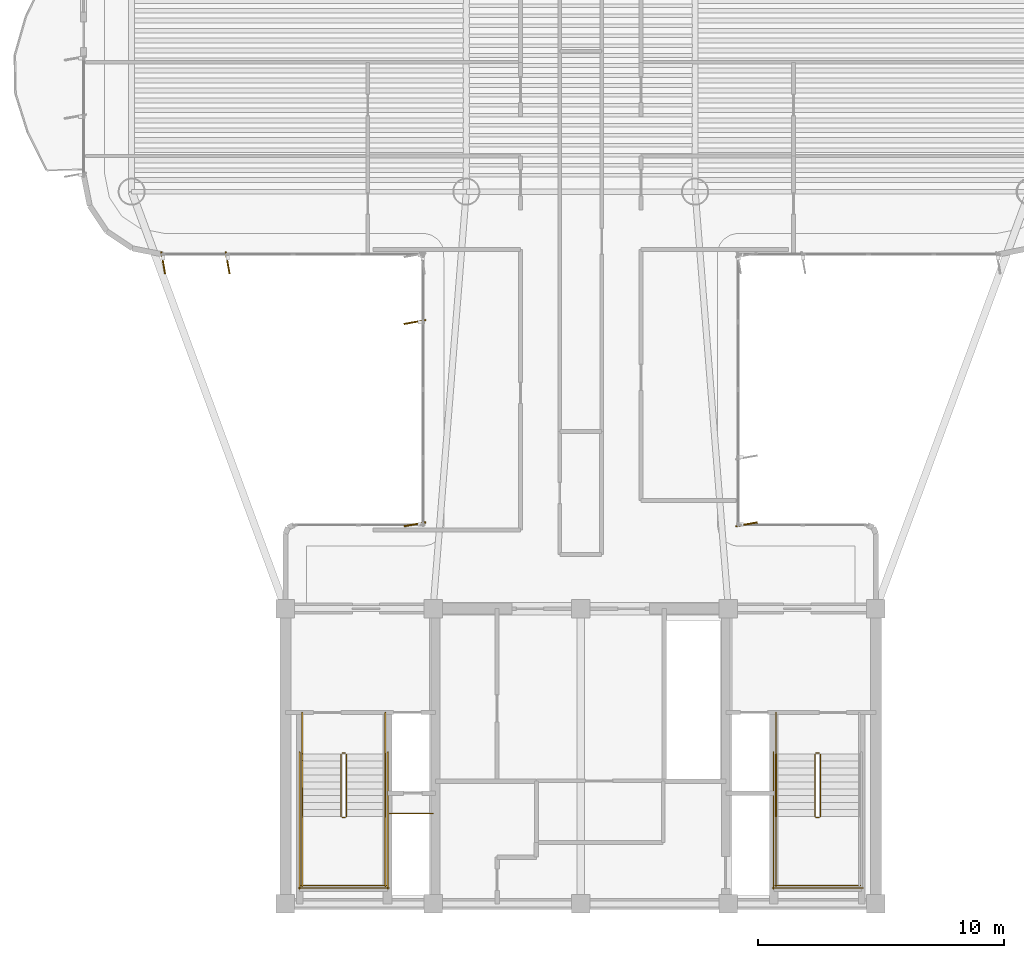
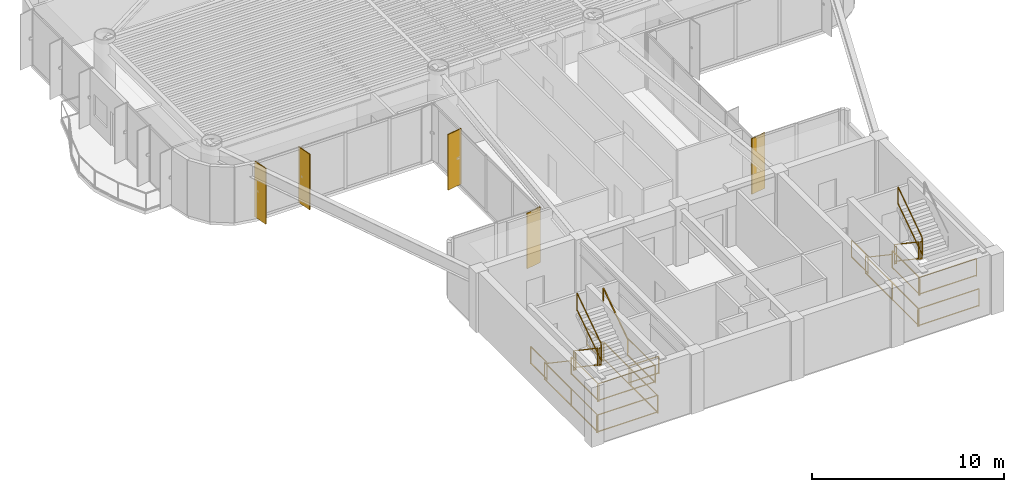
# One storey, part 13 of 14: 25 railings, 5 shading devices.
"""IFC4 building model written with IfcOpenShell, lengths in metres."""

from ifc_helpers import new_model, si_unit, direction, frame, origin, origin_2d, place, context, subcontext, project, spatial, rectangle, extrude, source, transform, mapped, material, layer, layer_set, material_profile, profile_set, type_object, element, save


model = new_model("IFC4")

# Units and contexts
model_context = context("Model", 3, precision=1e-05, world=origin(), true_north=direction((0.0, 1.0)))
body_context = subcontext(model_context, "Body", "Model", "MODEL_VIEW")
ifc_project = project(units=[si_unit("LENGTHUNIT", "METRE"), si_unit("AREAUNIT", "SQUARE_METRE"), si_unit("VOLUMEUNIT", "CUBIC_METRE"), si_unit("PLANEANGLEUNIT", "RADIAN"), si_unit("MASSUNIT", "GRAM", prefix="KILO")], contexts=[model_context])

# Site, building, storey
site_placement = place(None, origin())
site = spatial("IfcSite", under=ifc_project, at=site_placement, CompositionType="ELEMENT")
building_placement = place(site_placement, origin())
building = spatial("IfcBuilding", under=site, at=building_placement, Name="Brelvock Crest Care Tower", CompositionType="ELEMENT")
storey_placement = place(building_placement, frame((0.0, 0.0, 179.10009765625)))
storey = spatial("IfcBuildingStorey", under=building, at=storey_placement, Name="L45", CompositionType="ELEMENT", Elevation=179.10009765625)

# Railings
ifc_material_1 = material(Name="Steel Grade 350", Category="steel")
ifc_layer_1 = layer(ifc_material_1, 0.050048828125, Name="RL-STG1")
ifc_layer_set_1 = layer_set([ifc_layer_1], Name="Steel Grade 350")
railing_type_1 = type_object("IfcRailingType", Name="RL-STG1", PredefinedType="GUARDRAIL", material=ifc_layer_set_1)
railing_1_placement = place(storey_placement, frame((26.260009765625, 12.080078125, 0.18896484375)))
element("IfcRailing", 1, at=railing_1_placement, inside=storey, type_object=railing_type_1, Name="L45 ST-1 stair guard 1", PredefinedType="GUARDRAIL", context=body_context, shape_type="SweptSolid", body=[
    extrude(rectangle(XDim=0.048095703125, YDim=0.048095703125, at=origin_2d()), frame((0.0, -0.001708984375, 1.116943359375), z_axis=(0.0, -0.828861706735, 0.559453546873), x_axis=(1.0, 0.0, 0.0)), (0.0, 0.0, 1.0), 3.036376953125),
    extrude(rectangle(XDim=0.048095703125, YDim=0.048095703125, at=origin_2d()), frame((0.0, -0.001708984375, 0.05615234375), z_axis=(0.0, -0.828861706735, 0.559453546873), x_axis=(1.0, 0.0, 0.0)), (0.0, 0.0, 1.0), 3.036376953125),
    extrude(rectangle(XDim=0.0419921875, YDim=0.0419921875, at=origin_2d()), origin(), (0.0, 0.0, 1.0), 1.08984375),
    extrude(rectangle(XDim=0.0419921875, YDim=0.0419921875, at=origin_2d()), frame((0.0, -2.52001953125, 1.700927734375)), (0.0, 0.0, 1.0), 1.08984375),
])
railing_2_placement = place(storey_placement, frame((26.31005859375, 9.510009765625, 1.889892578125)))
element("IfcRailing", 2, at=railing_2_placement, inside=storey, type_object=railing_type_1, Name="L45 ST-1 stair guard 2", PredefinedType="GUARDRAIL", context=body_context, shape_type="SweptSolid", body=[
    extrude(rectangle(XDim=0.048095703125, YDim=0.048095703125, at=origin_2d()), frame((0.001953125, 0.0, 1.11572265625), z_axis=(1.0, 0.0, 0.0), x_axis=(0.0, 1.0, 0.0)), (0.0, 0.0, 1.0), 0.115966796875),
    extrude(rectangle(XDim=0.048095703125, YDim=0.048095703125, at=origin_2d()), frame((0.001953125, 0.0, 0.054931640625), z_axis=(1.0, 0.0, 0.0), x_axis=(0.0, 1.0, 0.0)), (0.0, 0.0, 1.0), 0.115966796875),
    extrude(rectangle(XDim=0.0419921875, YDim=0.0419921875, at=origin_2d()), origin(), (0.0, 0.0, 1.0), 1.08984375),
    extrude(rectangle(XDim=0.0419921875, YDim=0.0419921875, at=origin_2d()), frame((0.119873046875, 0.0, 0.0)), (0.0, 0.0, 1.0), 1.08984375),
])
for number, where, name in (
    (3, (24.679931640625, 9.56005859375, 1.889892578125), "L45 ST-1 stair guard 3"),
    (4, (28.06005859375, 9.56005859375, 1.889892578125), "L45 ST-1 stair guard 4"),
):
    element("IfcRailing", number, at=place(storey_placement, frame(where)), inside=storey, type_object=railing_type_1, Name=name, PredefinedType="GUARDRAIL", context=body_context, shape_type="SweptSolid", body=[
        extrude(rectangle(XDim=0.048095703125, YDim=0.048095703125, at=origin_2d()), frame((0.0, -0.001953125, 1.11572265625), z_axis=(0.0, -1.0, 0.0), x_axis=(1.0, 0.0, 0.0)), (0.0, 0.0, 1.0), 2.856201171875),
        extrude(rectangle(XDim=0.048095703125, YDim=0.048095703125, at=origin_2d()), frame((0.0, -0.001953125, 0.054931640625), z_axis=(0.0, -1.0, 0.0), x_axis=(1.0, 0.0, 0.0)), (0.0, 0.0, 1.0), 2.856201171875),
        extrude(rectangle(XDim=0.0419921875, YDim=0.0419921875, at=origin_2d()), origin(), (0.0, 0.0, 1.0), 1.08984375),
        extrude(rectangle(XDim=0.0419921875, YDim=0.0419921875, at=origin_2d()), frame((0.0, -2.860107421875, 0.0)), (0.0, 0.0, 1.0), 1.08984375),
    ])
railing_3_placement = place(storey_placement, frame((24.6298828125, 6.75, 1.889892578125)))
element("IfcRailing", 5, at=railing_3_placement, inside=storey, type_object=railing_type_1, Name="L45 ST-1 stair guard 5", PredefinedType="GUARDRAIL", context=body_context, shape_type="SweptSolid", body=[
    extrude(rectangle(XDim=0.048095703125, YDim=0.048095703125, at=origin_2d()), frame((0.001953125, 0.0, 1.11572265625), z_axis=(1.0, 0.0, 0.0), x_axis=(0.0, 1.0, 0.0)), (0.0, 0.0, 1.0), 3.476318359375),
    extrude(rectangle(XDim=0.048095703125, YDim=0.048095703125, at=origin_2d()), frame((0.001953125, 0.0, 0.054931640625), z_axis=(1.0, 0.0, 0.0), x_axis=(0.0, 1.0, 0.0)), (0.0, 0.0, 1.0), 3.476318359375),
    extrude(rectangle(XDim=0.0419921875, YDim=0.0419921875, at=origin_2d()), origin(), (0.0, 0.0, 1.0), 1.08984375),
    extrude(rectangle(XDim=0.0419921875, YDim=0.0419921875, at=origin_2d()), frame((3.480224609375, 0.0, 0.0)), (0.0, 0.0, 1.0), 1.08984375),
])
railing_4_placement = place(storey_placement, frame((26.47998046875, 9.56005859375, 2.078857421875)))
element("IfcRailing", 6, at=railing_4_placement, inside=storey, type_object=railing_type_1, Name="L45 ST-1 stair guard 6", PredefinedType="GUARDRAIL", context=body_context, shape_type="SweptSolid", body=[
    extrude(rectangle(XDim=0.048095703125, YDim=0.048095703125, at=origin_2d()), frame((0.0, 0.001708984375, 1.116943359375), z_axis=(0.0, 0.828861706735, 0.559453546873), x_axis=(-1.0, 0.0, 0.0)), (0.0, 0.0, 1.0), 3.036376953125),
    extrude(rectangle(XDim=0.048095703125, YDim=0.048095703125, at=origin_2d()), frame((0.0, 0.001708984375, 0.05615234375), z_axis=(0.0, 0.828861706735, 0.559453546873), x_axis=(-1.0, 0.0, 0.0)), (0.0, 0.0, 1.0), 3.036376953125),
    extrude(rectangle(XDim=0.0419921875, YDim=0.0419921875, at=origin_2d()), origin(), (0.0, 0.0, 1.0), 1.08984375),
    extrude(rectangle(XDim=0.0419921875, YDim=0.0419921875, at=origin_2d()), frame((0.0, 2.52001953125, 1.700927734375)), (0.0, 0.0, 1.0), 1.08984375),
])
railing_5_placement = place(storey_placement, frame((26.31005859375, 12.1298828125, 0.0)))
element("IfcRailing", 7, at=railing_5_placement, inside=storey, type_object=railing_type_1, Name="L45 ST-1 stair guard 7", PredefinedType="GUARDRAIL", context=body_context, shape_type="SweptSolid", body=[
    extrude(rectangle(XDim=0.048095703125, YDim=0.048095703125, at=origin_2d()), frame((0.001953125, 0.0, 1.11572265625), z_axis=(1.0, 0.0, 0.0), x_axis=(0.0, 1.0, 0.0)), (0.0, 0.0, 1.0), 0.115966796875),
    extrude(rectangle(XDim=0.048095703125, YDim=0.048095703125, at=origin_2d()), frame((0.001953125, 0.0, 0.054931640625), z_axis=(1.0, 0.0, 0.0), x_axis=(0.0, 1.0, 0.0)), (0.0, 0.0, 1.0), 0.115966796875),
    extrude(rectangle(XDim=0.0419921875, YDim=0.0419921875, at=origin_2d()), origin(), (0.0, 0.0, 1.0), 1.08984375),
    extrude(rectangle(XDim=0.0419921875, YDim=0.0419921875, at=origin_2d()), frame((0.119873046875, 0.0, 0.0)), (0.0, 0.0, 1.0), 1.08984375),
])
for number, where, name in (
    (8, (24.679931640625, 13.780029296875, 0.0), "L45 ST-1 stair guard 8"),
    (9, (28.06005859375, 13.780029296875, 0.0), "L45 ST-1 stair guard 9"),
):
    element("IfcRailing", number, at=place(storey_placement, frame(where)), inside=storey, type_object=railing_type_1, Name=name, PredefinedType="GUARDRAIL", context=body_context, shape_type="SweptSolid", body=[
        extrude(rectangle(XDim=0.048095703125, YDim=0.048095703125, at=origin_2d()), frame((0.0, -0.001953125, 1.11572265625), z_axis=(0.0, -1.0, 0.0), x_axis=(1.0, 0.0, 0.0)), (0.0, 0.0, 1.0), 1.696044921875),
        extrude(rectangle(XDim=0.048095703125, YDim=0.048095703125, at=origin_2d()), frame((0.0, -0.001953125, 0.054931640625), z_axis=(0.0, -1.0, 0.0), x_axis=(1.0, 0.0, 0.0)), (0.0, 0.0, 1.0), 1.696044921875),
        extrude(rectangle(XDim=0.0419921875, YDim=0.0419921875, at=origin_2d()), origin(), (0.0, 0.0, 1.0), 1.08984375),
        extrude(rectangle(XDim=0.0419921875, YDim=0.0419921875, at=origin_2d()), frame((0.0, -1.699951171875, 0.0)), (0.0, 0.0, 1.0), 1.08984375),
    ])
for number, where, name in (
    (10, (24.580078125, 12.179931640625, 0.0), "L45 ST-1 stair guard 10"),
    (11, (28.159912109375, 12.179931640625, 0.0), "L45 ST-1 stair guard 11"),
):
    element("IfcRailing", number, at=place(storey_placement, frame(where)), inside=storey, type_object=railing_type_1, Name=name, PredefinedType="GUARDRAIL", context=body_context, shape_type="SweptSolid", body=[
        extrude(rectangle(XDim=0.048095703125, YDim=0.048095703125, at=origin_2d()), frame((0.0, -0.001953125, 1.11572265625), z_axis=(0.0, -1.0, 0.0), x_axis=(1.0, 0.0, 0.0)), (0.0, 0.0, 1.0), 5.575927734375),
        extrude(rectangle(XDim=0.048095703125, YDim=0.048095703125, at=origin_2d()), frame((0.0, -0.001953125, 0.054931640625), z_axis=(0.0, -1.0, 0.0), x_axis=(1.0, 0.0, 0.0)), (0.0, 0.0, 1.0), 5.575927734375),
        extrude(rectangle(XDim=0.0419921875, YDim=0.0419921875, at=origin_2d()), origin(), (0.0, 0.0, 1.0), 1.08984375),
        extrude(rectangle(XDim=0.0419921875, YDim=0.0419921875, at=origin_2d()), frame((0.0, -2.7900390625, 0.0)), (0.0, 0.0, 1.0), 1.08984375),
        extrude(rectangle(XDim=0.0419921875, YDim=0.0419921875, at=origin_2d()), frame((0.0, -5.579833984375, 0.0)), (0.0, 0.0, 1.0), 1.08984375),
    ])
railing_6_placement = place(storey_placement, frame((24.530029296875, 6.64990234375, 0.0)))
element("IfcRailing", 12, at=railing_6_placement, inside=storey, type_object=railing_type_1, Name="L45 ST-1 stair guard 12", PredefinedType="GUARDRAIL", context=body_context, shape_type="SweptSolid", body=[
    extrude(rectangle(XDim=0.048095703125, YDim=0.048095703125, at=origin_2d()), frame((0.001953125, 0.0, 1.11572265625), z_axis=(1.0, 0.0, 0.0), x_axis=(0.0, 1.0, 0.0)), (0.0, 0.0, 1.0), 3.676025390625),
    extrude(rectangle(XDim=0.048095703125, YDim=0.048095703125, at=origin_2d()), frame((0.001953125, 0.0, 0.054931640625), z_axis=(1.0, 0.0, 0.0), x_axis=(0.0, 1.0, 0.0)), (0.0, 0.0, 1.0), 3.676025390625),
    extrude(rectangle(XDim=0.0419921875, YDim=0.0419921875, at=origin_2d()), origin(), (0.0, 0.0, 1.0), 1.08984375),
    extrude(rectangle(XDim=0.0419921875, YDim=0.0419921875, at=origin_2d()), frame((3.679931640625, 0.0, 0.0)), (0.0, 0.0, 1.0), 1.08984375),
])
railing_7_placement = place(storey_placement, frame((45.52001953125, 12.080078125, 0.18896484375)))
element("IfcRailing", 13, at=railing_7_placement, inside=storey, type_object=railing_type_1, Name="L45 ST-2 stair guard 1", PredefinedType="GUARDRAIL", context=body_context, shape_type="SweptSolid", body=[
    extrude(rectangle(XDim=0.048095703125, YDim=0.048095703125, at=origin_2d()), frame((0.0, -0.001708984375, 1.116943359375), z_axis=(0.0, -0.828861706735, 0.559453546873), x_axis=(1.0, 0.0, 0.0)), (0.0, 0.0, 1.0), 3.036376953125),
    extrude(rectangle(XDim=0.048095703125, YDim=0.048095703125, at=origin_2d()), frame((0.0, -0.001708984375, 0.05615234375), z_axis=(0.0, -0.828861706735, 0.559453546873), x_axis=(1.0, 0.0, 0.0)), (0.0, 0.0, 1.0), 3.036376953125),
    extrude(rectangle(XDim=0.0419921875, YDim=0.0419921875, at=origin_2d()), origin(), (0.0, 0.0, 1.0), 1.08984375),
    extrude(rectangle(XDim=0.0419921875, YDim=0.0419921875, at=origin_2d()), frame((0.0, -2.52001953125, 1.700927734375)), (0.0, 0.0, 1.0), 1.08984375),
])
railing_8_placement = place(storey_placement, frame((45.570068359375, 9.510009765625, 1.889892578125)))
element("IfcRailing", 14, at=railing_8_placement, inside=storey, type_object=railing_type_1, Name="L45 ST-2 stair guard 2", PredefinedType="GUARDRAIL", context=body_context, shape_type="SweptSolid", body=[
    extrude(rectangle(XDim=0.048095703125, YDim=0.048095703125, at=origin_2d()), frame((0.001953125, 0.0, 1.11572265625), z_axis=(1.0, 0.0, 0.0), x_axis=(0.0, 1.0, 0.0)), (0.0, 0.0, 1.0), 0.115966796875),
    extrude(rectangle(XDim=0.048095703125, YDim=0.048095703125, at=origin_2d()), frame((0.001953125, 0.0, 0.054931640625), z_axis=(1.0, 0.0, 0.0), x_axis=(0.0, 1.0, 0.0)), (0.0, 0.0, 1.0), 0.115966796875),
    extrude(rectangle(XDim=0.0419921875, YDim=0.0419921875, at=origin_2d()), origin(), (0.0, 0.0, 1.0), 1.08984375),
    extrude(rectangle(XDim=0.0419921875, YDim=0.0419921875, at=origin_2d()), frame((0.119873046875, 0.0, 0.0)), (0.0, 0.0, 1.0), 1.08984375),
])
railing_9_placement = place(storey_placement, frame((43.93994140625, 9.56005859375, 1.889892578125)))
element("IfcRailing", 15, at=railing_9_placement, inside=storey, type_object=railing_type_1, Name="L45 ST-2 stair guard 3", PredefinedType="GUARDRAIL", context=body_context, shape_type="SweptSolid", body=[
    extrude(rectangle(XDim=0.048095703125, YDim=0.048095703125, at=origin_2d()), frame((0.0, -0.001953125, 1.11572265625), z_axis=(0.0, -1.0, 0.0), x_axis=(1.0, 0.0, 0.0)), (0.0, 0.0, 1.0), 2.856201171875),
    extrude(rectangle(XDim=0.048095703125, YDim=0.048095703125, at=origin_2d()), frame((0.0, -0.001953125, 0.054931640625), z_axis=(0.0, -1.0, 0.0), x_axis=(1.0, 0.0, 0.0)), (0.0, 0.0, 1.0), 2.856201171875),
    extrude(rectangle(XDim=0.0419921875, YDim=0.0419921875, at=origin_2d()), origin(), (0.0, 0.0, 1.0), 1.08984375),
    extrude(rectangle(XDim=0.0419921875, YDim=0.0419921875, at=origin_2d()), frame((0.0, -2.860107421875, 0.0)), (0.0, 0.0, 1.0), 1.08984375),
])
railing_10_placement = place(storey_placement, frame((43.889892578125, 6.75, 1.889892578125)))
element("IfcRailing", 16, at=railing_10_placement, inside=storey, type_object=railing_type_1, Name="L45 ST-2 stair guard 5", PredefinedType="GUARDRAIL", context=body_context, shape_type="SweptSolid", body=[
    extrude(rectangle(XDim=0.048095703125, YDim=0.048095703125, at=origin_2d()), frame((0.001953125, 0.0, 1.11572265625), z_axis=(1.0, 0.0, 0.0), x_axis=(0.0, 1.0, 0.0)), (0.0, 0.0, 1.0), 3.476318359375),
    extrude(rectangle(XDim=0.048095703125, YDim=0.048095703125, at=origin_2d()), frame((0.001953125, 0.0, 0.054931640625), z_axis=(1.0, 0.0, 0.0), x_axis=(0.0, 1.0, 0.0)), (0.0, 0.0, 1.0), 3.476318359375),
    extrude(rectangle(XDim=0.0419921875, YDim=0.0419921875, at=origin_2d()), origin(), (0.0, 0.0, 1.0), 1.08984375),
    extrude(rectangle(XDim=0.0419921875, YDim=0.0419921875, at=origin_2d()), frame((3.480224609375, 0.0, 0.0)), (0.0, 0.0, 1.0), 1.08984375),
])
railing_11_placement = place(storey_placement, frame((45.739990234375, 9.56005859375, 2.078857421875)))
element("IfcRailing", 17, at=railing_11_placement, inside=storey, type_object=railing_type_1, Name="L45 ST-2 stair guard 6", PredefinedType="GUARDRAIL", context=body_context, shape_type="SweptSolid", body=[
    extrude(rectangle(XDim=0.048095703125, YDim=0.048095703125, at=origin_2d()), frame((0.0, 0.001708984375, 1.116943359375), z_axis=(0.0, 0.828861706735, 0.559453546873), x_axis=(-1.0, 0.0, 0.0)), (0.0, 0.0, 1.0), 3.036376953125),
    extrude(rectangle(XDim=0.048095703125, YDim=0.048095703125, at=origin_2d()), frame((0.0, 0.001708984375, 0.05615234375), z_axis=(0.0, 0.828861706735, 0.559453546873), x_axis=(-1.0, 0.0, 0.0)), (0.0, 0.0, 1.0), 3.036376953125),
    extrude(rectangle(XDim=0.0419921875, YDim=0.0419921875, at=origin_2d()), origin(), (0.0, 0.0, 1.0), 1.08984375),
    extrude(rectangle(XDim=0.0419921875, YDim=0.0419921875, at=origin_2d()), frame((0.0, 2.52001953125, 1.700927734375)), (0.0, 0.0, 1.0), 1.08984375),
])
railing_12_placement = place(storey_placement, frame((45.570068359375, 12.1298828125, 0.0)))
element("IfcRailing", 18, at=railing_12_placement, inside=storey, type_object=railing_type_1, Name="L45 ST-2 stair guard 7", PredefinedType="GUARDRAIL", context=body_context, shape_type="SweptSolid", body=[
    extrude(rectangle(XDim=0.048095703125, YDim=0.048095703125, at=origin_2d()), frame((0.001953125, 0.0, 1.11572265625), z_axis=(1.0, 0.0, 0.0), x_axis=(0.0, 1.0, 0.0)), (0.0, 0.0, 1.0), 0.115966796875),
    extrude(rectangle(XDim=0.048095703125, YDim=0.048095703125, at=origin_2d()), frame((0.001953125, 0.0, 0.054931640625), z_axis=(1.0, 0.0, 0.0), x_axis=(0.0, 1.0, 0.0)), (0.0, 0.0, 1.0), 0.115966796875),
    extrude(rectangle(XDim=0.0419921875, YDim=0.0419921875, at=origin_2d()), origin(), (0.0, 0.0, 1.0), 1.08984375),
    extrude(rectangle(XDim=0.0419921875, YDim=0.0419921875, at=origin_2d()), frame((0.119873046875, 0.0, 0.0)), (0.0, 0.0, 1.0), 1.08984375),
])
railing_13_placement = place(storey_placement, frame((43.93994140625, 13.780029296875, 0.0)))
element("IfcRailing", 19, at=railing_13_placement, inside=storey, type_object=railing_type_1, Name="L45 ST-2 stair guard 8", PredefinedType="GUARDRAIL", context=body_context, shape_type="SweptSolid", body=[
    extrude(rectangle(XDim=0.048095703125, YDim=0.048095703125, at=origin_2d()), frame((0.0, -0.001953125, 1.11572265625), z_axis=(0.0, -1.0, 0.0), x_axis=(1.0, 0.0, 0.0)), (0.0, 0.0, 1.0), 1.696044921875),
    extrude(rectangle(XDim=0.048095703125, YDim=0.048095703125, at=origin_2d()), frame((0.0, -0.001953125, 0.054931640625), z_axis=(0.0, -1.0, 0.0), x_axis=(1.0, 0.0, 0.0)), (0.0, 0.0, 1.0), 1.696044921875),
    extrude(rectangle(XDim=0.0419921875, YDim=0.0419921875, at=origin_2d()), origin(), (0.0, 0.0, 1.0), 1.08984375),
    extrude(rectangle(XDim=0.0419921875, YDim=0.0419921875, at=origin_2d()), frame((0.0, -1.699951171875, 0.0)), (0.0, 0.0, 1.0), 1.08984375),
])
railing_14_placement = place(storey_placement, frame((43.840087890625, 12.179931640625, 0.0)))
element("IfcRailing", 20, at=railing_14_placement, inside=storey, type_object=railing_type_1, Name="L45 ST-2 stair guard 10", PredefinedType="GUARDRAIL", context=body_context, shape_type="SweptSolid", body=[
    extrude(rectangle(XDim=0.048095703125, YDim=0.048095703125, at=origin_2d()), frame((0.0, -0.001953125, 1.11572265625), z_axis=(0.0, -1.0, 0.0), x_axis=(1.0, 0.0, 0.0)), (0.0, 0.0, 1.0), 5.575927734375),
    extrude(rectangle(XDim=0.048095703125, YDim=0.048095703125, at=origin_2d()), frame((0.0, -0.001953125, 0.054931640625), z_axis=(0.0, -1.0, 0.0), x_axis=(1.0, 0.0, 0.0)), (0.0, 0.0, 1.0), 5.575927734375),
    extrude(rectangle(XDim=0.0419921875, YDim=0.0419921875, at=origin_2d()), origin(), (0.0, 0.0, 1.0), 1.08984375),
    extrude(rectangle(XDim=0.0419921875, YDim=0.0419921875, at=origin_2d()), frame((0.0, -2.7900390625, 0.0)), (0.0, 0.0, 1.0), 1.08984375),
    extrude(rectangle(XDim=0.0419921875, YDim=0.0419921875, at=origin_2d()), frame((0.0, -5.579833984375, 0.0)), (0.0, 0.0, 1.0), 1.08984375),
])
railing_15_placement = place(storey_placement, frame((43.7900390625, 6.64990234375, 0.0)))
element("IfcRailing", 21, at=railing_15_placement, inside=storey, type_object=railing_type_1, Name="L45 ST-2 stair guard 12", PredefinedType="GUARDRAIL", context=body_context, shape_type="SweptSolid", body=[
    extrude(rectangle(XDim=0.048095703125, YDim=0.048095703125, at=origin_2d()), frame((0.001953125, 0.0, 1.11572265625), z_axis=(1.0, 0.0, 0.0), x_axis=(0.0, 1.0, 0.0)), (0.0, 0.0, 1.0), 3.676025390625),
    extrude(rectangle(XDim=0.048095703125, YDim=0.048095703125, at=origin_2d()), frame((0.001953125, 0.0, 0.054931640625), z_axis=(1.0, 0.0, 0.0), x_axis=(0.0, 1.0, 0.0)), (0.0, 0.0, 1.0), 3.676025390625),
    extrude(rectangle(XDim=0.0419921875, YDim=0.0419921875, at=origin_2d()), origin(), (0.0, 0.0, 1.0), 1.08984375),
    extrude(rectangle(XDim=0.0419921875, YDim=0.0419921875, at=origin_2d()), frame((3.679931640625, 0.0, 0.0)), (0.0, 0.0, 1.0), 1.08984375),
])
railing_16_placement = place(storey_placement, frame((28.219970703125, 9.679931640625, 0.0)))
element("IfcRailing", 22, at=railing_16_placement, inside=storey, type_object=railing_type_1, Name="L45 Fire Riser Threshold Guard", PredefinedType="GUARDRAIL", context=body_context, shape_type="SweptSolid", body=[
    extrude(rectangle(XDim=0.048095703125, YDim=0.048095703125, at=origin_2d()), frame((0.001953125, 0.0, 1.11572265625), z_axis=(1.0, 0.0, 0.0), x_axis=(0.0, 1.0, 0.0)), (0.0, 0.0, 1.0), 1.776123046875),
    extrude(rectangle(XDim=0.048095703125, YDim=0.048095703125, at=origin_2d()), frame((0.001953125, 0.0, 0.054931640625), z_axis=(1.0, 0.0, 0.0), x_axis=(0.0, 1.0, 0.0)), (0.0, 0.0, 1.0), 1.776123046875),
    extrude(rectangle(XDim=0.0419921875, YDim=0.0419921875, at=origin_2d()), origin(), (0.0, 0.0, 1.0), 1.08984375),
    extrude(rectangle(XDim=0.0419921875, YDim=0.0419921875, at=origin_2d()), frame((1.780029296875, 0.0, 0.0)), (0.0, 0.0, 1.0), 1.08984375),
])
ifc_layer_2 = layer(ifc_material_1, 0.048095703125, Name="RL-STH1")
ifc_layer_set_2 = layer_set([ifc_layer_2], Name="Steel Grade 350")
railing_type_2 = type_object("IfcRailingType", Name="RL-STH1", PredefinedType="HANDRAIL", material=ifc_layer_set_2)
railing_17_placement = place(storey_placement, frame((24.679931640625, 12.080078125, 0.18896484375)))
element("IfcRailing", 23, at=railing_17_placement, inside=storey, type_object=railing_type_2, Name="L45 ST-1 stair handrail 1", PredefinedType="HANDRAIL", context=body_context, shape_type="SweptSolid", body=[
    extrude(rectangle(XDim=0.048095703125, YDim=0.048095703125, at=origin_2d()), frame((0.0, -0.001708984375, 0.876953125), z_axis=(0.0, -0.828861706735, 0.559453546873), x_axis=(1.0, 0.0, 0.0)), (0.0, 0.0, 1.0), 3.036376953125),
    extrude(rectangle(XDim=0.0419921875, YDim=0.0419921875, at=origin_2d()), origin(), (0.0, 0.0, 1.0), 0.849853515625),
    extrude(rectangle(XDim=0.0419921875, YDim=0.0419921875, at=origin_2d()), frame((0.0, -2.52001953125, 1.700927734375)), (0.0, 0.0, 1.0), 0.849853515625),
])
railing_18_placement = place(storey_placement, frame((28.06005859375, 9.56005859375, 2.078857421875)))
element("IfcRailing", 24, at=railing_18_placement, inside=storey, type_object=railing_type_2, Name="L45 ST-1 stair handrail 2", PredefinedType="HANDRAIL", context=body_context, shape_type="SweptSolid", body=[
    extrude(rectangle(XDim=0.048095703125, YDim=0.048095703125, at=origin_2d()), frame((0.0, 0.001708984375, 0.876953125), z_axis=(0.0, 0.828861706735, 0.559453546873), x_axis=(-1.0, 0.0, 0.0)), (0.0, 0.0, 1.0), 3.036376953125),
    extrude(rectangle(XDim=0.0419921875, YDim=0.0419921875, at=origin_2d()), origin(), (0.0, 0.0, 1.0), 0.849853515625),
    extrude(rectangle(XDim=0.0419921875, YDim=0.0419921875, at=origin_2d()), frame((0.0, 2.52001953125, 1.700927734375)), (0.0, 0.0, 1.0), 0.849853515625),
])
railing_19_placement = place(storey_placement, frame((43.93994140625, 12.080078125, 0.18896484375)))
element("IfcRailing", 25, at=railing_19_placement, inside=storey, type_object=railing_type_2, Name="L45 ST-2 stair handrail 1", PredefinedType="HANDRAIL", context=body_context, shape_type="SweptSolid", body=[
    extrude(rectangle(XDim=0.048095703125, YDim=0.048095703125, at=origin_2d()), frame((0.0, -0.001708984375, 0.876953125), z_axis=(0.0, -0.828861706735, 0.559453546873), x_axis=(1.0, 0.0, 0.0)), (0.0, 0.0, 1.0), 3.036376953125),
    extrude(rectangle(XDim=0.0419921875, YDim=0.0419921875, at=origin_2d()), origin(), (0.0, 0.0, 1.0), 0.849853515625),
    extrude(rectangle(XDim=0.0419921875, YDim=0.0419921875, at=origin_2d()), frame((0.0, -2.52001953125, 1.700927734375)), (0.0, 0.0, 1.0), 0.849853515625),
])

# Shading devices
ifc_material_2 = material(Name="Aluminium 6063-T6", Category="aluminium")
ifc_material_profile = material_profile(ifc_material_2, rectangle(XDim=0.054931640625, YDim=0.89990234375, at=origin_2d()), Name="FIN55x900")
ifc_profile_set = profile_set([ifc_material_profile], Name="Aluminium 6063-T6")
shading_device_type = type_object("IfcShadingDeviceType", Name="SHD-FIN1", PredefinedType="USERDEFINED", material=ifc_profile_set)
shared_shape = source(origin(), body_context, "Body", "SweptSolid", [
    extrude(rectangle(XDim=0.054931640625, YDim=0.89990234375, at=origin_2d()), origin(), (0.0, 0.0, 1.0), 3.52978515625),
])
for number, where, z_axis, x_axis, name in (
    (26, (29.260009765625, 21.429931640625, 0.0), (0.0, 0.0, 1.0), (-0.173648177667, 0.984807753012, 0.0), "L45 Vertical Sunshade Fin E11-01"),
    (27, (29.260009765625, 29.64990234375, 0.0), (0.0, 0.0, 1.0), (-0.173648177667, 0.984807753012, 0.0), "L45 Vertical Sunshade Fin E11-04"),
    (28, (21.64990234375, 32.06005859375, 0.0), (0.0, 0.0, 1.0), (-0.984807753012, -0.173648177667, 0.0), "L45 Vertical Sunshade Fin E12-04"),
    (29, (19.030029296875, 32.06005859375, 0.0), (0.0, 0.0, 1.0), (-0.984807753012, -0.173648177667, 0.0), "L45 Vertical Sunshade Fin E12-05"),
    (30, (42.739990234375, 21.429931640625, 0.0), (0.0, 0.0, 1.0), (0.173648177667, -0.984807753012, 0.0), "L45 Vertical Sunshade Fin E45-05"),
):
    element("IfcShadingDevice", number, at=place(storey_placement, frame(where, z_axis=z_axis, x_axis=x_axis)), inside=storey, type_object=shading_device_type, Name=name, ObjectType="FIN", PredefinedType="USERDEFINED", context=body_context, shape_type="MappedRepresentation", body=[
        mapped(shared_shape, transform((0.0, 0.0, 0.0), x_axis=(1.0, 0.0, 0.0), y_axis=(0.0, 1.0, 0.0), z_axis=(0.0, 0.0, 1.0), scale=1.0)),
    ])

save(model, "model.ifc")
